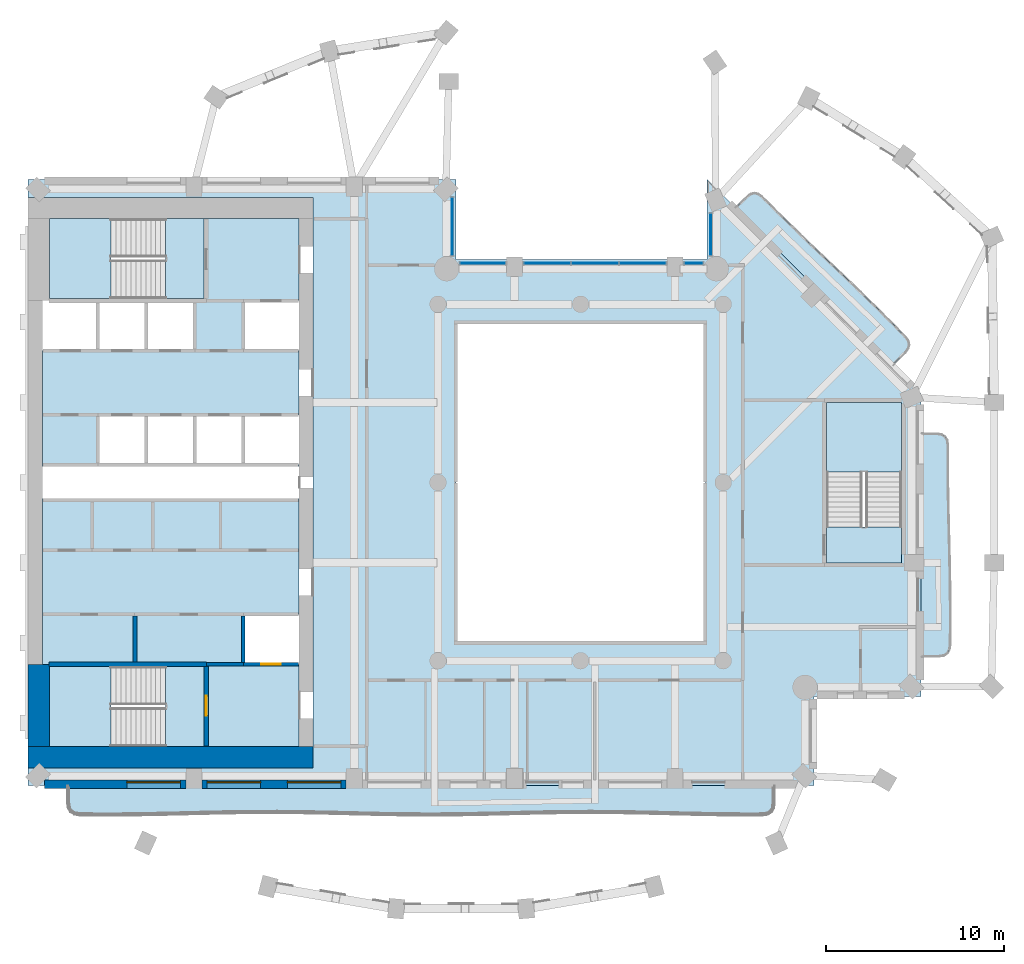
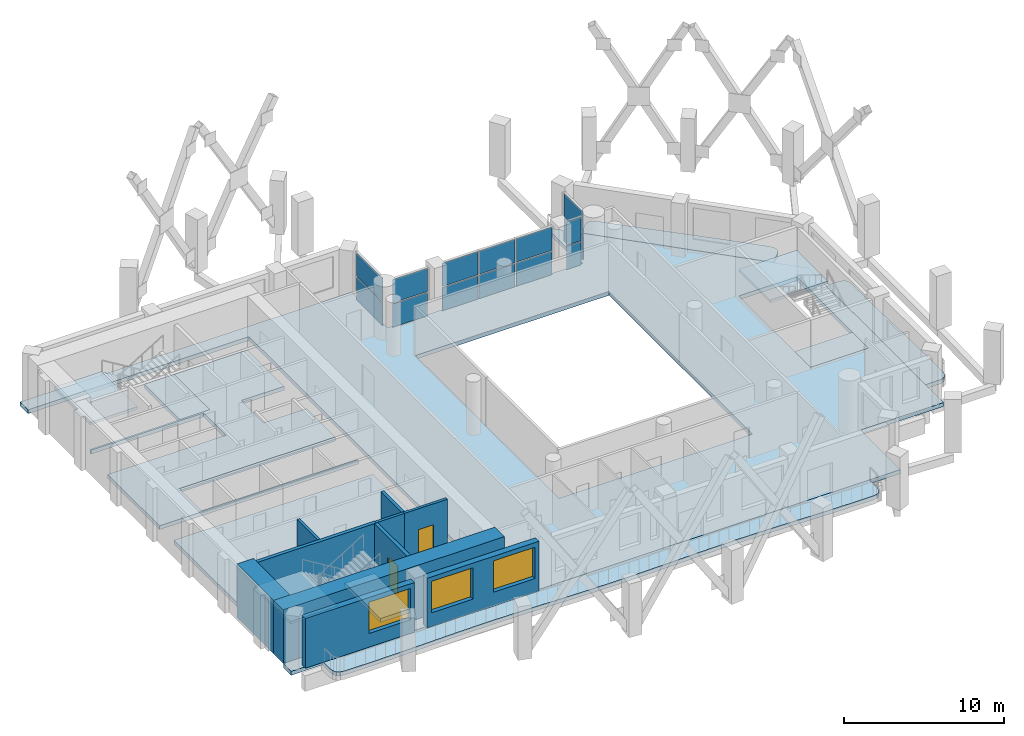
# One storey, part 3 of 15: 14 plates, 12 slabs, 10 walls, 3 windows, 2 doors, 5 openings, 8 elements without a shape of their own.
"""IFC4 building model written with IfcOpenShell, lengths in metres."""

from ifc_helpers import new_model, si_unit, direction, frame, frame_2d, origin, origin_2d, place, context, subcontext, project, spatial, polyline, rectangle, outline, extrude, material, layer, layer_set, type_object, element, fill, aggregate, save


model = new_model("IFC4")

# Units and contexts
model_context = context("Model", 3, precision=1e-05, world=origin(), true_north=direction((0.0, 1.0)))
body_context = subcontext(model_context, "Body", "Model", "MODEL_VIEW")
ifc_project = project(units=[si_unit("LENGTHUNIT", "METRE"), si_unit("AREAUNIT", "SQUARE_METRE"), si_unit("VOLUMEUNIT", "CUBIC_METRE"), si_unit("PLANEANGLEUNIT", "RADIAN"), si_unit("MASSUNIT", "GRAM", prefix="KILO")], contexts=[model_context])

# Site, building, storey
site_placement = place(None, origin())
site = spatial("IfcSite", under=ifc_project, at=site_placement, CompositionType="ELEMENT")
building_placement = place(site_placement, origin())
building = spatial("IfcBuilding", under=site, at=building_placement, Name="Cypress Arch Tower", CompositionType="ELEMENT")
storey_placement = place(building_placement, frame((0.0, 0.0, 193.300048828125)))
storey = spatial("IfcBuildingStorey", under=building, at=storey_placement, Name="L42", CompositionType="ELEMENT", Elevation=193.300048828125)

# Slabs
ifc_material_1 = material(Name="Concrete C40/50", Category="concrete")
ifc_layer_1 = layer(ifc_material_1, 0.300048828125)
ifc_layer_set_1 = layer_set([ifc_layer_1], Name="Balcony slab BS300")
slab_type_1 = type_object("IfcSlabType", Name="Balcony slab BS300", PredefinedType="USERDEFINED", material=ifc_layer_set_1)
slab_1_placement = place(storey_placement, frame((0.0, 0.0, -0.300048828125)))
element("IfcSlab", 1, at=slab_1_placement, inside=storey, type_object=slab_type_1, Name="Balcony slab L42-B01", ObjectType="BALCONY SLAB", PredefinedType="USERDEFINED", context=body_context, shape_type="SweptSolid", body=[
    extrude(outline(polyline([(-27.75, -17.0), (-27.75, -17.96337890625), (-27.708740234375, -18.252685546875), (-27.5849609375, -18.46044921875), (-27.378662109375, -18.5869140625), (-27.090087890625, -18.6318359375), (-26.283447265625, -18.641845703125), (-24.816650390625, -18.642578125), (-23.35009765625, -18.625244140625), (-21.88330078125, -18.59423828125), (-20.416748046875, -18.5576171875), (-18.949951171875, -18.52490234375), (-17.4833984375, -18.504150390625), (-16.0166015625, -18.5009765625), (-14.550048828125, -18.51611328125), (-13.083251953125, -18.545654296875), (-11.61669921875, -18.58203125), (-10.14990234375, -18.61572265625), (-8.683349609375, -18.638427734375), (-7.216552734375, -18.644287109375), (-5.75, -18.631591796875), (-4.283447265625, -18.603759765625), (-2.816650390625, -18.567626953125), (-1.35009765625, -18.532958984375), (0.11669921875, -18.50830078125), (1.583251953125, -18.5), (3.050048828125, -18.51025390625), (4.5166015625, -18.53662109375), (5.9833984375, -18.57177734375), (7.449951171875, -18.607421875), (8.916748046875, -18.6337890625), (10.38330078125, -18.64453125), (11.18994140625, -18.640380859375), (11.478759765625, -18.597412109375), (11.68505859375, -18.47265625), (11.808837890625, -18.265625), (11.85009765625, -17.976806640625), (11.85009765625, -17.0), (-27.75, -17.0)])), origin(), (0.0, 0.0, 1.0), 0.300048828125),
])
slab_2_placement = place(storey_placement, frame((0.0, 0.0, -0.300048828125)))
element("IfcSlab", 2, at=slab_2_placement, inside=storey, type_object=slab_type_1, Name="Balcony slab L42-B04", ObjectType="BALCONY SLAB", PredefinedType="USERDEFINED", context=body_context, shape_type="SweptSolid", body=[
    extrude(outline(polyline([(20.10009765625, -9.75), (21.098388671875, -9.75), (21.372314453125, -9.7109375), (21.569091796875, -9.59375), (21.68896484375, -9.3984375), (21.7314453125, -9.125), (21.741455078125, -8.361083984375), (21.743408203125, -6.97216796875), (21.72900390625, -5.583251953125), (21.70166015625, -4.1943359375), (21.66748046875, -2.8056640625), (21.63427734375, -1.416748046875), (21.610107421875, -0.02783203125), (21.60009765625, 1.361083984375), (21.603759765625, 2.125), (21.56591796875, 2.3984375), (21.44970703125, 2.59375), (21.255126953125, 2.7109375), (20.981689453125, 2.75), (20.10009765625, 2.75), (20.10009765625, -9.75)])), origin(), (0.0, 0.0, 1.0), 0.300048828125),
])
slab_3_placement = place(storey_placement, frame((0.0, 0.0, -0.300048828125)))
element("IfcSlab", 3, at=slab_3_placement, inside=storey, type_object=slab_type_1, Name="Balcony slab L42-B05", ObjectType="BALCONY SLAB", PredefinedType="USERDEFINED", context=body_context, shape_type="SweptSolid", body=[
    extrude(outline(polyline([(18.509033203125, 6.591064453125), (19.216064453125, 7.298095703125), (19.3818359375, 7.518798828125), (19.43798828125, 7.740478515625), (19.384521484375, 7.962646484375), (19.2216796875, 8.185546875), (18.68994140625, 8.7314453125), (17.71142578125, 9.712646484375), (16.7216796875, 10.682373046875), (15.72265625, 11.642822265625), (14.71875, 12.5986328125), (13.715576171875, 13.554931640625), (12.718505859375, 14.517333984375), (11.7314453125, 15.489990234375), (11.195068359375, 16.03125), (10.9755859375, 16.197509765625), (10.755615234375, 16.253173828125), (10.53564453125, 16.198486328125), (10.3154296875, 16.033447265625), (9.69091796875, 15.408935546875), (18.509033203125, 6.591064453125)])), origin(), (0.0, 0.0, 1.0), 0.300048828125),
])
ifc_material_2 = material(Name="Concrete C40/50", Category="concrete")
ifc_layer_2 = layer(ifc_material_2, 0.300048828125)
ifc_layer_set_2 = layer_set([ifc_layer_2], Name="Core floor CF300")
slab_type_2 = type_object("IfcSlabType", Name="Core floor CF300", PredefinedType="FLOOR", material=ifc_layer_set_2)
slab_4_placement = place(storey_placement, frame((0.0, 0.0, -0.300048828125)))
element("IfcSlab", 4, at=slab_4_placement, inside=storey, type_object=slab_type_2, Name="Core floor", PredefinedType="FLOOR", context=body_context, shape_type="SweptSolid", body=[
    extrude(outline(polyline([(-28.800048828125, -10.199951171875), (-29.199951171875, -10.199951171875), (-29.199951171875, -0.89990234375), (-15.199951171875, -0.89990234375), (-14.800048828125, -0.89990234375), (-14.800048828125, -7.39990234375), (-15.199951171875, -7.39990234375), (-17.919921875, -7.39990234375), (-17.919921875, -10.199951171875), (-15.199951171875, -10.199951171875), (-14.800048828125, -10.199951171875), (-14.800048828125, -14.800048828125), (-15.199951171875, -14.800048828125), (-20.125, -14.800048828125), (-20.125, -10.324951171875), (-22.27490234375, -10.324951171875), (-28.800048828125, -10.324951171875), (-28.800048828125, -10.199951171875)])), origin(), (0.0, 0.0, 1.0), 0.300048828125),
])
slab_5_placement = place(storey_placement, frame((0.0, 0.0, -0.300048828125)))
element("IfcSlab", 5, at=slab_5_placement, inside=storey, type_object=slab_type_2, Name="Core floor", PredefinedType="FLOOR", context=body_context, shape_type="SweptSolid", body=[
    extrude(outline(polyline([(-22.27490234375, -10.324951171875), (-22.27490234375, -14.800048828125), (-20.125, -14.800048828125), (-20.125, -10.324951171875), (-22.27490234375, -10.324951171875)])), origin(), (0.0, 0.0, 1.0), 0.300048828125),
])
slab_6_placement = place(storey_placement, frame((0.0, 0.0, -0.300048828125)))
element("IfcSlab", 6, at=slab_6_placement, inside=storey, type_object=slab_type_2, Name="Core floor", PredefinedType="FLOOR", context=body_context, shape_type="SweptSolid", body=[
    extrude(outline(polyline([(-20.125, 14.800048828125), (-22.27490234375, 14.800048828125), (-22.27490234375, 10.324951171875), (-20.125, 10.324951171875), (-20.125, 14.800048828125)])), origin(), (0.0, 0.0, 1.0), 0.300048828125),
])
slab_7_placement = place(storey_placement, frame((0.0, 0.0, -0.300048828125)))
element("IfcSlab", 7, at=slab_7_placement, inside=storey, type_object=slab_type_2, Name="Stair floor landing", PredefinedType="FLOOR", context=body_context, shape_type="SweptSolid", body=[
    extrude(outline(polyline([(19.0, -4.5), (19.0, -2.5), (14.800048828125, -2.5), (14.800048828125, -4.5), (19.0, -4.5)])), origin(), (0.0, 0.0, 1.0), 0.300048828125),
])
slab_8_placement = place(storey_placement, frame((0.0, 0.0, -0.300048828125)))
element("IfcSlab", 8, at=slab_8_placement, inside=storey, type_object=slab_type_2, Name="Core floor", PredefinedType="FLOOR", context=body_context, shape_type="SweptSolid", body=[
    extrude(outline(polyline([(-20.639892578125, 7.39990234375), (-20.639892578125, 10.199951171875), (-23.360107421875, 10.199951171875), (-26.080078125, 10.199951171875), (-28.800048828125, 10.199951171875), (-28.800048828125, 10.324951171875), (-22.27490234375, 10.324951171875), (-20.125, 10.324951171875), (-20.125, 14.800048828125), (-15.199951171875, 14.800048828125), (-14.800048828125, 14.800048828125), (-14.800048828125, 10.199951171875), (-15.199951171875, 10.199951171875), (-17.919921875, 10.199951171875), (-17.919921875, 7.39990234375), (-15.199951171875, 7.39990234375), (-14.800048828125, 7.39990234375), (-14.800048828125, 3.800048828125), (-15.199951171875, 3.800048828125), (-17.919921875, 3.800048828125), (-20.639892578125, 3.800048828125), (-23.360107421875, 3.800048828125), (-26.080078125, 3.800048828125), (-26.080078125, 1.5), (-26.080078125, 1.5), (-26.080078125, 1.0), (-25.679931640625, 1.0), (-23.360107421875, 1.0), (-20.639892578125, 1.0), (-17.919921875, 1.0), (-15.199951171875, 1.0), (-14.800048828125, 1.0), (-14.800048828125, 0.89990234375), (-15.199951171875, 0.89990234375), (-25.679931640625, 0.89990234375), (-26.47998046875, 0.89990234375), (-29.199951171875, 0.89990234375), (-29.199951171875, 1.5), (-29.199951171875, 7.39990234375), (-26.080078125, 7.39990234375), (-23.360107421875, 7.39990234375), (-20.639892578125, 7.39990234375)])), origin(), (0.0, 0.0, 1.0), 0.300048828125),
])

# Curtain wall, plates
ifc_material_3 = material(Name="Anodised aluminium, bronze finish, clear laminated double glazing", Category="aluminium")
curtain_wall_type = type_object("IfcCurtainWallType", Name="Curtain wall CW7 slot glazing", PredefinedType="NOTDEFINED", material=ifc_material_3)
curtain_wall_1_placement = place(storey_placement, origin())
curtain_wall_1 = element("IfcCurtainWall", 9, at=curtain_wall_1_placement, inside=storey, type_object=curtain_wall_type, Name="Curtain wall L42 slot B06.0", PredefinedType="NOTDEFINED")
ifc_material_4 = material(Name="Clear laminated double glazing", Category="glass")
ifc_layer_3 = layer(ifc_material_4, 0.0439453125)
ifc_layer_set_3 = layer_set([ifc_layer_3], Name="Glass panel CW7 44")
plate_type = type_object("IfcPlateType", Name="Glass panel CW7 44", PredefinedType="CURTAIN_PANEL", material=ifc_layer_set_3)
plate_1_placement = place(storey_placement, frame((8.300048828125, 13.912353515625, 0.0849609375), z_axis=(0.0, 0.0, 1.0), x_axis=(0.0, -1.0, 0.0)))
plate_1 = element("IfcPlate", 10, at=plate_1_placement, type_object=plate_type, Name="CW7 panel 1.1", PredefinedType="CURTAIN_PANEL", context=body_context, shape_type="SweptSolid", body=[
    extrude(rectangle(XDim=2.345458984375, YDim=0.0439453125, at=origin_2d()), origin(), (0.0, 0.0, 1.0), 1.7724609375),
])
plate_2_placement = place(storey_placement, frame((8.300048828125, 13.912353515625, 1.9423828125), z_axis=(0.0, 0.0, 1.0), x_axis=(0.0, -1.0, 0.0)))
plate_2 = element("IfcPlate", 11, at=plate_2_placement, type_object=plate_type, Name="CW7 panel 1.2", PredefinedType="CURTAIN_PANEL", context=body_context, shape_type="SweptSolid", body=[
    extrude(rectangle(XDim=2.345458984375, YDim=0.0439453125, at=origin_2d()), origin(), (0.0, 0.0, 1.0), 1.7724609375),
])
aggregate(curtain_wall_1, [plate_1, plate_2])

curtain_wall_2_placement = place(storey_placement, origin())
curtain_wall_2 = element("IfcCurtainWall", 12, at=curtain_wall_2_placement, inside=storey, type_object=curtain_wall_type, Name="Curtain wall L42 slot B07.0", PredefinedType="NOTDEFINED")
plate_3_placement = place(storey_placement, frame((7.34765625, 12.300048828125, 0.0849609375), z_axis=(0.0, 0.0, 1.0), x_axis=(-1.0, 0.0, 0.0)))
plate_3 = element("IfcPlate", 13, at=plate_3_placement, type_object=plate_type, Name="CW7 panel 1.1", PredefinedType="CURTAIN_PANEL", context=body_context, shape_type="SweptSolid", body=[
    extrude(rectangle(XDim=1.025390625, YDim=0.0439453125, at=origin_2d()), origin(), (0.0, 0.0, 1.0), 1.7724609375),
])
plate_4_placement = place(storey_placement, frame((7.34765625, 12.300048828125, 1.9423828125), z_axis=(0.0, 0.0, 1.0), x_axis=(-1.0, 0.0, 0.0)))
plate_4 = element("IfcPlate", 14, at=plate_4_placement, type_object=plate_type, Name="CW7 panel 1.2", PredefinedType="CURTAIN_PANEL", context=body_context, shape_type="SweptSolid", body=[
    extrude(rectangle(XDim=1.025390625, YDim=0.0439453125, at=origin_2d()), origin(), (0.0, 0.0, 1.0), 1.7724609375),
])
aggregate(curtain_wall_2, [plate_3, plate_4])

curtain_wall_3_placement = place(storey_placement, origin())
curtain_wall_3 = element("IfcCurtainWall", 15, at=curtain_wall_3_placement, inside=storey, type_object=curtain_wall_type, Name="Curtain wall L42 slot B07.1", PredefinedType="NOTDEFINED")
plate_5_placement = place(storey_placement, frame((4.478759765625, 12.300048828125, 0.0849609375), z_axis=(0.0, 0.0, 1.0), x_axis=(-1.0, 0.0, 0.0)))
plate_5 = element("IfcPlate", 16, at=plate_5_placement, type_object=plate_type, Name="CW7 panel 1.1", PredefinedType="CURTAIN_PANEL", context=body_context, shape_type="SweptSolid", body=[
    extrude(rectangle(XDim=2.572509765625, YDim=0.0439453125, at=origin_2d()), origin(), (0.0, 0.0, 1.0), 1.7724609375),
])
plate_6_placement = place(storey_placement, frame((4.478759765625, 12.300048828125, 1.9423828125), z_axis=(0.0, 0.0, 1.0), x_axis=(-1.0, 0.0, 0.0)))
plate_6 = element("IfcPlate", 17, at=plate_6_placement, type_object=plate_type, Name="CW7 panel 1.2", PredefinedType="CURTAIN_PANEL", context=body_context, shape_type="SweptSolid", body=[
    extrude(rectangle(XDim=2.572509765625, YDim=0.0439453125, at=origin_2d()), origin(), (0.0, 0.0, 1.0), 1.7724609375),
])
plate_7_placement = place(storey_placement, frame((1.800048828125, 12.300048828125, 0.0849609375), z_axis=(0.0, 0.0, 1.0), x_axis=(-1.0, 0.0, 0.0)))
plate_7 = element("IfcPlate", 18, at=plate_7_placement, type_object=plate_type, Name="CW7 panel 2.1", PredefinedType="CURTAIN_PANEL", context=body_context, shape_type="SweptSolid", body=[
    extrude(rectangle(XDim=2.614990234375, YDim=0.0439453125, at=origin_2d()), origin(), (0.0, 0.0, 1.0), 1.7724609375),
])
plate_8_placement = place(storey_placement, frame((1.800048828125, 12.300048828125, 1.9423828125), z_axis=(0.0, 0.0, 1.0), x_axis=(-1.0, 0.0, 0.0)))
plate_8 = element("IfcPlate", 19, at=plate_8_placement, type_object=plate_type, Name="CW7 panel 2.2", PredefinedType="CURTAIN_PANEL", context=body_context, shape_type="SweptSolid", body=[
    extrude(rectangle(XDim=2.614990234375, YDim=0.0439453125, at=origin_2d()), origin(), (0.0, 0.0, 1.0), 1.7724609375),
])
plate_9_placement = place(storey_placement, frame((-0.878662109375, 12.300048828125, 0.0849609375), z_axis=(0.0, 0.0, 1.0), x_axis=(-1.0, 0.0, 0.0)))
plate_9 = element("IfcPlate", 20, at=plate_9_placement, type_object=plate_type, Name="CW7 panel 3.1", PredefinedType="CURTAIN_PANEL", context=body_context, shape_type="SweptSolid", body=[
    extrude(rectangle(XDim=2.572509765625, YDim=0.0439453125, at=origin_2d()), origin(), (0.0, 0.0, 1.0), 1.7724609375),
])
plate_10_placement = place(storey_placement, frame((-0.878662109375, 12.300048828125, 1.9423828125), z_axis=(0.0, 0.0, 1.0), x_axis=(-1.0, 0.0, 0.0)))
plate_10 = element("IfcPlate", 21, at=plate_10_placement, type_object=plate_type, Name="CW7 panel 3.2", PredefinedType="CURTAIN_PANEL", context=body_context, shape_type="SweptSolid", body=[
    extrude(rectangle(XDim=2.572509765625, YDim=0.0439453125, at=origin_2d()), origin(), (0.0, 0.0, 1.0), 1.7724609375),
])
aggregate(curtain_wall_3, [plate_5, plate_6, plate_7, plate_8, plate_9, plate_10])

curtain_wall_4_placement = place(storey_placement, origin())
curtain_wall_4 = element("IfcCurtainWall", 22, at=curtain_wall_4_placement, inside=storey, type_object=curtain_wall_type, Name="Curtain wall L42 slot B07.2", PredefinedType="NOTDEFINED")
plate_11_placement = place(storey_placement, frame((-4.497802734375, 12.300048828125, 0.0849609375), z_axis=(0.0, 0.0, 1.0), x_axis=(-1.0, 0.0, 0.0)))
plate_11 = element("IfcPlate", 23, at=plate_11_placement, type_object=plate_type, Name="CW7 panel 1.1", PredefinedType="CURTAIN_PANEL", context=body_context, shape_type="SweptSolid", body=[
    extrude(rectangle(XDim=2.525390625, YDim=0.0439453125, at=origin_2d()), origin(), (0.0, 0.0, 1.0), 1.7724609375),
])
plate_12_placement = place(storey_placement, frame((-4.497802734375, 12.300048828125, 1.9423828125), z_axis=(0.0, 0.0, 1.0), x_axis=(-1.0, 0.0, 0.0)))
plate_12 = element("IfcPlate", 24, at=plate_12_placement, type_object=plate_type, Name="CW7 panel 1.2", PredefinedType="CURTAIN_PANEL", context=body_context, shape_type="SweptSolid", body=[
    extrude(rectangle(XDim=2.525390625, YDim=0.0439453125, at=origin_2d()), origin(), (0.0, 0.0, 1.0), 1.7724609375),
])
aggregate(curtain_wall_4, [plate_11, plate_12])

curtain_wall_5_placement = place(storey_placement, origin())
curtain_wall_5 = element("IfcCurtainWall", 25, at=curtain_wall_5_placement, inside=storey, type_object=curtain_wall_type, Name="Curtain wall L42 slot B08.0", PredefinedType="NOTDEFINED")
plate_13_placement = place(storey_placement, frame((-6.199951171875, 14.359130859375, 0.0849609375), z_axis=(0.0, 0.0, 1.0), x_axis=(0.0, 1.0, 0.0)))
plate_13 = element("IfcPlate", 26, at=plate_13_placement, type_object=plate_type, Name="CW7 panel 1.1", PredefinedType="CURTAIN_PANEL", context=body_context, shape_type="SweptSolid", body=[
    extrude(rectangle(XDim=3.239013671875, YDim=0.0439453125, at=origin_2d()), origin(), (0.0, 0.0, 1.0), 1.7724609375),
])
plate_14_placement = place(storey_placement, frame((-6.199951171875, 14.359130859375, 1.9423828125), z_axis=(0.0, 0.0, 1.0), x_axis=(0.0, 1.0, 0.0)))
plate_14 = element("IfcPlate", 27, at=plate_14_placement, type_object=plate_type, Name="CW7 panel 1.2", PredefinedType="CURTAIN_PANEL", context=body_context, shape_type="SweptSolid", body=[
    extrude(rectangle(XDim=3.239013671875, YDim=0.0439453125, at=origin_2d()), origin(), (0.0, 0.0, 1.0), 1.7724609375),
])
aggregate(curtain_wall_5, [plate_13, plate_14])

# Slab
ifc_material_5 = material(Name="Concrete C40/50", Category="concrete")
ifc_layer_4 = layer(ifc_material_5, 0.300048828125)
ifc_layer_set_4 = layer_set([ifc_layer_4], Name="PT flat slab 300 Concrete C40/50")
slab_type_3 = type_object("IfcSlabType", Name="PT flat slab 300 Concrete C40/50", PredefinedType="FLOOR", material=ifc_layer_set_4)
slab_9_placement = place(storey_placement, frame((0.0, 0.0, -0.300048828125)))
element("IfcSlab", 28, at=slab_9_placement, inside=storey, type_object=slab_type_3, Name="Floor slab L42", PredefinedType="FLOOR", context=body_context, shape_type="SweptSolid", body=[
    extrude(outline(polyline([(-30.0, 17.0), (-6.0, 17.0), (-6.0, 12.5), (8.10009765625, 12.5), (8.10009765625, 17.0), (20.10009765625, 5.0), (20.10009765625, -12.0), (14.10009765625, -12.0), (14.10009765625, -17.0), (-30.0, -17.0), (-30.0, -16.0), (-14.0, -16.0), (-14.0, 16.0), (-30.0, 16.0), (-30.0, 17.0)]), holes=[polyline([(-6.0, -9.0), (8.0, -9.0), (8.0, 9.0), (-6.0, 9.0), (-6.0, -9.0)]), polyline([(14.800048828125, -4.5), (19.0, -4.5), (19.0, 4.5), (14.800048828125, 4.5), (14.800048828125, -4.5)])]), origin(), (0.0, 0.0, 1.0), 0.300048828125),
])

# Stair, slab
ifc_material_6 = material(Name="Concrete C40/50", Category="concrete")
stair_type_1 = type_object("IfcStairType", Name="Exit stair ES1708-215", PredefinedType="HALF_TURN_STAIR", material=ifc_material_6)
stair_1_placement = place(storey_placement, origin())
stair_1 = element("IfcStair", 29, at=stair_1_placement, inside=storey, type_object=stair_type_1, Name="L42 Exit stair A", PredefinedType="HALF_TURN_STAIR")
ifc_material_7 = material(Name="Concrete C40/50", Category="concrete")
ifc_layer_5 = layer(ifc_material_7, 0.199951171875)
ifc_layer_set_5 = layer_set([ifc_layer_5], Name="Stair landing SL200")
slab_type_4 = type_object("IfcSlabType", Name="Stair landing SL200", PredefinedType="LANDING", material=ifc_layer_set_5)
slab_10_placement = place(storey_placement, frame((0.0, 0.0, 1.849853515625)))
slab_10 = element("IfcSlab", 30, at=slab_10_placement, type_object=slab_type_4, Name="A landing 1", PredefinedType="LANDING", context=body_context, shape_type="SweptSolid", body=[
    extrude(outline(polyline([(-25.35498046875, -10.324951171875), (-28.800048828125, -10.324951171875), (-28.800048828125, -14.800048828125), (-25.35498046875, -14.800048828125), (-25.35498046875, -10.324951171875)])), origin(), (0.0, 0.0, 1.0), 0.2001953125),
])
aggregate(stair_1, [slab_10])

stair_2_placement = place(storey_placement, origin())
stair_2 = element("IfcStair", 31, at=stair_2_placement, inside=storey, type_object=stair_type_1, Name="L42 Exit stair B", PredefinedType="HALF_TURN_STAIR")
slab_11_placement = place(storey_placement, frame((0.0, 0.0, 1.849853515625)))
slab_11 = element("IfcSlab", 32, at=slab_11_placement, type_object=slab_type_4, Name="B landing 1", PredefinedType="LANDING", context=body_context, shape_type="SweptSolid", body=[
    extrude(outline(polyline([(-25.35498046875, 14.800048828125), (-28.800048828125, 14.800048828125), (-28.800048828125, 10.324951171875), (-25.35498046875, 10.324951171875), (-25.35498046875, 14.800048828125)])), origin(), (0.0, 0.0, 1.0), 0.2001953125),
])
aggregate(stair_2, [slab_11])

ifc_material_8 = material(Name="Concrete C40/50", Category="concrete")
stair_type_2 = type_object("IfcStairType", Name="Exit stair ES1708-200", PredefinedType="HALF_TURN_STAIR", material=ifc_material_8)
stair_3_placement = place(storey_placement, origin())
stair_3 = element("IfcStair", 33, at=stair_3_placement, inside=storey, type_object=stair_type_2, Name="L42 Exit stair C", PredefinedType="HALF_TURN_STAIR")
slab_12_placement = place(storey_placement, frame((0.0, 0.0, 1.849853515625)))
slab_12 = element("IfcSlab", 34, at=slab_12_placement, type_object=slab_type_4, Name="C landing 1", PredefinedType="LANDING", context=body_context, shape_type="SweptSolid", body=[
    extrude(outline(polyline([(19.0, 0.580078125), (19.0, 4.5), (14.800048828125, 4.5), (14.800048828125, 0.580078125), (19.0, 0.580078125)])), origin(), (0.0, 0.0, 1.0), 0.2001953125),
])
aggregate(stair_3, [slab_12])

# Wall, opening, window
ifc_material_9 = material(Name="Brick (red buff blend)", Category="masonry")
ifc_layer_6 = layer(ifc_material_9, 0.449951171875)
ifc_layer_set_6 = layer_set([ifc_layer_6], Name="Brick pier and spandrel wall BW450")
wall_type_1 = type_object("IfcWallType", Name="Brick pier and spandrel wall BW450", PredefinedType="SOLIDWALL", material=ifc_layer_set_6)
wall_1_placement = place(storey_placement, frame((-29.063720703125, -16.925048828125, 0.0), z_axis=(0.0, 0.0, 1.0), x_axis=(1.0, 0.0, 0.0)))
wall_1 = element("IfcWall", 35, at=wall_1_placement, inside=storey, type_object=wall_type_1, Name="Brick wall L42 B01.0", PredefinedType="SOLIDWALL", context=body_context, shape_type="SweptSolid", body=[
    extrude(rectangle(XDim=7.913818359375, YDim=0.449951171875, at=frame_2d((3.95703125, 0.0))), origin(), (0.0, 0.0, 1.0), 3.800048828125),
])
opening_1_placement = place(wall_1_placement, frame((4.613525390625, 0.0, 1.050048828125)))
opening_1 = element("IfcOpeningElement", 36, at=opening_1_placement, cuts=wall_1, Name="Opening W300OD", PredefinedType="OPENING", context=body_context, shape_type="SweptSolid", body=[
    extrude(rectangle(XDim=3.0, YDim=2.39990234375, at=frame_2d((1.5, 1.199951171875))), frame((0.0, 0.23486328125, 0.0), z_axis=(0.0, -1.0, 0.0), x_axis=(1.0, 0.0, 0.0)), (0.0, 0.0, 1.0), 0.469970703125),
])
ifc_material_10 = material(Name="Anodised aluminium, bronze finish, laminated low-emissivity double glazing, large-missile impact rated", Category="aluminium")
window_type = type_object("IfcWindowType", Name="Window Office 3000x2400 debris-rated", PartitioningType="SINGLE_PANEL", PredefinedType="WINDOW", material=ifc_material_10)
window_1_placement = place(opening_1_placement, origin())
window_1 = element("IfcWindow", 37, at=window_1_placement, inside=storey, type_object=window_type, Name="Window L42 B01.0.2", OverallHeight=2.39990234375, OverallWidth=3.0, PartitioningType="SINGLE_PANEL", PredefinedType="WINDOW", context=body_context, shape_type="SweptSolid", body=[
    extrude(rectangle(XDim=3.0, YDim=2.39990234375, at=frame_2d((1.5, 1.199951171875))), frame((0.0, 0.135009765625, 0.0), z_axis=(0.0, -1.0, 0.0), x_axis=(1.0, 0.0, 0.0)), (0.0, 0.0, 1.0), 0.06005859375),
])
fill(opening_1, window_1)

# Wall, openings, windows
wall_2_placement = place(storey_placement, frame((-20.25, -16.925048828125, 0.0), z_axis=(0.0, 0.0, 1.0), x_axis=(1.0, 0.0, 0.0)))
wall_2 = element("IfcWall", 38, at=wall_2_placement, inside=storey, type_object=wall_type_1, Name="Brick wall L42 B01.1", PredefinedType="SOLIDWALL", context=body_context, shape_type="SweptSolid", body=[
    extrude(rectangle(XDim=8.10009765625, YDim=0.449951171875, at=frame_2d((4.050048828125, 0.0))), origin(), (0.0, 0.0, 1.0), 3.800048828125),
])
opening_2_placement = place(wall_2_placement, frame((0.300048828125, 0.0, 1.050048828125)))
opening_2 = element("IfcOpeningElement", 39, at=opening_2_placement, cuts=wall_2, Name="Opening W300OD", PredefinedType="OPENING", context=body_context, shape_type="SweptSolid", body=[
    extrude(rectangle(XDim=3.0, YDim=2.39990234375, at=frame_2d((1.5, 1.199951171875))), frame((0.0, 0.23486328125, 0.0), z_axis=(0.0, -1.0, 0.0), x_axis=(1.0, 0.0, 0.0)), (0.0, 0.0, 1.0), 0.469970703125),
])
opening_3_placement = place(wall_2_placement, frame((4.800048828125, 0.0, 1.050048828125)))
opening_3 = element("IfcOpeningElement", 40, at=opening_3_placement, cuts=wall_2, Name="Opening W300OD", PredefinedType="OPENING", context=body_context, shape_type="SweptSolid", body=[
    extrude(rectangle(XDim=3.0, YDim=2.39990234375, at=frame_2d((1.5, 1.199951171875))), frame((0.0, 0.23486328125, 0.0), z_axis=(0.0, -1.0, 0.0), x_axis=(1.0, 0.0, 0.0)), (0.0, 0.0, 1.0), 0.469970703125),
])
window_2_placement = place(opening_2_placement, origin())
window_2 = element("IfcWindow", 41, at=window_2_placement, inside=storey, type_object=window_type, Name="Window L42 B01.1.1", OverallHeight=2.39990234375, OverallWidth=3.0, PartitioningType="SINGLE_PANEL", PredefinedType="WINDOW", context=body_context, shape_type="SweptSolid", body=[
    extrude(rectangle(XDim=3.0, YDim=2.39990234375, at=frame_2d((1.5, 1.199951171875))), frame((0.0, 0.135009765625, 0.0), z_axis=(0.0, -1.0, 0.0), x_axis=(1.0, 0.0, 0.0)), (0.0, 0.0, 1.0), 0.06005859375),
])
fill(opening_2, window_2)
window_3_placement = place(opening_3_placement, origin())
window_3 = element("IfcWindow", 42, at=window_3_placement, inside=storey, type_object=window_type, Name="Window L42 B01.1.2", OverallHeight=2.39990234375, OverallWidth=3.0, PartitioningType="SINGLE_PANEL", PredefinedType="WINDOW", context=body_context, shape_type="SweptSolid", body=[
    extrude(rectangle(XDim=3.0, YDim=2.39990234375, at=frame_2d((1.5, 1.199951171875))), frame((0.0, 0.135009765625, 0.0), z_axis=(0.0, -1.0, 0.0), x_axis=(1.0, 0.0, 0.0)), (0.0, 0.0, 1.0), 0.06005859375),
])
fill(opening_3, window_3)

# Walls
ifc_material_11 = material(Name="Concrete C70/85", Category="concrete")
ifc_layer_7 = layer(ifc_material_11, 1.199951171875)
ifc_layer_set_7 = layer_set([ifc_layer_7], Name="Core wall CW1200 C70/85")
wall_type_2 = type_object("IfcWallType", Name="Core wall CW1200 C70/85", PredefinedType="SHEAR", material=ifc_layer_set_7)
wall_3_placement = place(storey_placement, frame((-30.0, -15.39990234375, 0.0), z_axis=(0.0, 0.0, 1.0), x_axis=(1.0, 0.0, 0.0)))
element("IfcWall", 43, at=wall_3_placement, inside=storey, type_object=wall_type_2, Name="Core wall", PredefinedType="SHEAR", context=body_context, shape_type="SweptSolid", body=[
    extrude(rectangle(XDim=16.0, YDim=1.199951171875, at=frame_2d((8.0, 0.0))), origin(), (0.0, 0.0, 1.0), 4.099853515625),
])
wall_4_placement = place(storey_placement, frame((-29.39990234375, -14.800048828125, 0.0), z_axis=(0.0, 0.0, 1.0), x_axis=(0.0, 1.0, 0.0)))
element("IfcWall", 44, at=wall_4_placement, inside=storey, type_object=wall_type_2, Name="Core wall", PredefinedType="SHEAR", context=body_context, shape_type="SweptSolid", body=[
    extrude(rectangle(XDim=4.60009765625, YDim=1.199951171875, at=frame_2d((2.300048828125, 0.0))), origin(), (0.0, 0.0, 1.0), 4.099853515625),
])
ifc_material_12 = material(Name="Reinforced blockwork, plastered, rated", Category="masonry")
ifc_layer_8 = layer(ifc_material_12, 0.199951171875)
ifc_layer_set_8 = layer_set([ifc_layer_8], Name="Plant and riser wall PL200")
wall_type_3 = type_object("IfcWallType", Name="Plant and riser wall PL200", PredefinedType="PARTITIONING", material=ifc_layer_set_8)
wall_5_placement = place(storey_placement, frame((-24.0, -10.074951171875, 0.0), z_axis=(0.0, 0.0, 1.0), x_axis=(0.0, 1.0, 0.0)))
element("IfcWall", 45, at=wall_5_placement, inside=storey, type_object=wall_type_3, Name="Plant and riser wall", PredefinedType="PARTITIONING", context=body_context, shape_type="SweptSolid", body=[
    extrude(rectangle(XDim=2.574951171875, YDim=0.199951171875, at=frame_2d((1.28759765625, 0.0))), origin(), (0.0, 0.0, 1.0), 3.800048828125),
])
wall_6_placement = place(storey_placement, frame((-20.0, -10.199951171875, 0.0), z_axis=(0.0, 0.0, 1.0), x_axis=(1.0, 0.0, 0.0)))
element("IfcWall", 46, at=wall_6_placement, inside=storey, type_object=wall_type_3, Name="Plant and riser wall", PredefinedType="PARTITIONING", context=body_context, shape_type="SweptSolid", body=[
    extrude(rectangle(XDim=2.080078125, YDim=0.199951171875, at=frame_2d((1.0400390625, 0.0))), origin(), (0.0, 0.0, 1.0), 3.800048828125),
])
ifc_material_13 = material(Name="Concrete C50/60", Category="concrete")
ifc_layer_9 = layer(ifc_material_13, 0.199951171875)
ifc_layer_set_9 = layer_set([ifc_layer_9], Name="Shaft wall SH200")
wall_type_4 = type_object("IfcWallType", Name="Shaft wall SH200", PredefinedType="SHEAR", material=ifc_layer_set_9)
wall_7_placement = place(storey_placement, frame((-17.919921875, -10.10009765625, 0.0), z_axis=(0.0, 0.0, 1.0), x_axis=(0.0, 1.0, 0.0)))
element("IfcWall", 47, at=wall_7_placement, inside=storey, type_object=wall_type_4, Name="Shaft wall", PredefinedType="SHEAR", context=body_context, shape_type="SweptSolid", body=[
    extrude(rectangle(XDim=2.60009765625, YDim=0.199951171875, at=frame_2d((1.300048828125, 0.0))), origin(), (0.0, 0.0, 1.0), 3.800048828125),
])

# Wall, opening, door
wall_8_placement = place(storey_placement, frame((-17.919921875, -10.199951171875, 0.0), z_axis=(0.0, 0.0, 1.0), x_axis=(1.0, 0.0, 0.0)))
wall_8 = element("IfcWall", 48, at=wall_8_placement, inside=storey, type_object=wall_type_4, Name="Shaft wall", PredefinedType="SHEAR", context=body_context, shape_type="SweptSolid", body=[
    extrude(rectangle(XDim=3.08984375, YDim=0.199951171875, at=frame_2d((1.544921875, 0.0))), origin(), (0.0, 0.0, 1.0), 3.800048828125),
])
opening_4_placement = place(wall_8_placement, frame((1.0, 0.0, 0.0)))
opening_4 = element("IfcOpeningElement", 49, at=opening_4_placement, cuts=wall_8, Name="Opening LD-FL1", PredefinedType="OPENING", context=body_context, shape_type="SweptSolid", body=[
    extrude(rectangle(XDim=1.10009765625, YDim=2.199951171875, at=frame_2d((0.550048828125, 1.10009765625))), frame((0.0, 0.10986328125, 0.0), z_axis=(0.0, -1.0, 0.0), x_axis=(1.0, 0.0, 0.0)), (0.0, 0.0, 1.0), 0.219970703125),
])
ifc_material_14 = material(Name="Stainless steel centre-opening landing door, rated", Category="steel")
door_type_1 = type_object("IfcDoorType", Name="Lift landing door LD 1100x2200", OperationType="DOUBLE_DOOR_SLIDING", PredefinedType="DOOR", material=ifc_material_14)
door_1_placement = place(opening_4_placement, origin())
door_1 = element("IfcDoor", 50, at=door_1_placement, inside=storey, type_object=door_type_1, Name="Lift landing doors FL1", OperationType="DOUBLE_DOOR_SLIDING", OverallHeight=2.199951171875, OverallWidth=1.10009765625, PredefinedType="DOOR", context=body_context, shape_type="SweptSolid", body=[
    extrude(rectangle(XDim=1.10009765625, YDim=2.199951171875, at=frame_2d((0.550048828125, 1.10009765625))), frame((0.0, 0.02490234375, 0.0), z_axis=(0.0, -1.0, 0.0), x_axis=(1.0, 0.0, 0.0)), (0.0, 0.0, 1.0), 0.050048828125),
])
fill(opening_4, door_1)

# Wall
ifc_material_15 = material(Name="Concrete C50/60", Category="concrete")
ifc_layer_10 = layer(ifc_material_15, 0.25)
ifc_layer_set_10 = layer_set([ifc_layer_10], Name="Stair enclosure wall SW250")
wall_type_5 = type_object("IfcWallType", Name="Stair enclosure wall SW250", PredefinedType="SHEAR", material=ifc_layer_set_10)
wall_9_placement = place(storey_placement, frame((-28.81005859375, -10.199951171875, 0.0), z_axis=(0.0, 0.0, 1.0), x_axis=(1.0, 0.0, 0.0)))
element("IfcWall", 51, at=wall_9_placement, inside=storey, type_object=wall_type_5, Name="Stair enclosure wall", PredefinedType="SHEAR", context=body_context, shape_type="SweptSolid", body=[
    extrude(rectangle(XDim=8.81005859375, YDim=0.25, at=frame_2d((4.405029296875, 0.0))), origin(), (0.0, 0.0, 1.0), 3.800048828125),
])

# Wall, opening, door
wall_10_placement = place(storey_placement, frame((-20.0, -14.77001953125, 0.0), z_axis=(0.0, 0.0, 1.0), x_axis=(0.0, 1.0, 0.0)))
wall_10 = element("IfcWall", 52, at=wall_10_placement, inside=storey, type_object=wall_type_5, Name="Stair enclosure wall", PredefinedType="SHEAR", context=body_context, shape_type="SweptSolid", body=[
    extrude(rectangle(XDim=4.445068359375, YDim=0.25, at=frame_2d((2.22265625, 0.0))), origin(), (0.0, 0.0, 1.0), 3.800048828125),
])
opening_5_placement = place(wall_10_placement, frame((1.699951171875, 0.0, 0.0)))
opening_5 = element("IfcOpeningElement", 53, at=opening_5_placement, cuts=wall_10, Name="Opening D06", PredefinedType="OPENING", context=body_context, shape_type="SweptSolid", body=[
    extrude(rectangle(XDim=1.10009765625, YDim=2.199951171875, at=frame_2d((0.550048828125, 1.10009765625))), frame((0.0, 0.135009765625, 0.0), z_axis=(0.0, -1.0, 0.0), x_axis=(1.0, 0.0, 0.0)), (0.0, 0.0, 1.0), 0.27001953125),
])
ifc_material_16 = material(Name="Steel door, fire resisting, panic bar", Category="steel")
door_type_2 = type_object("IfcDoorType", Name="Stair door D06 1100x2200", OperationType="SINGLE_SWING_LEFT", PredefinedType="DOOR", material=ifc_material_16)
door_2_placement = place(opening_5_placement, origin())
door_2 = element("IfcDoor", 54, at=door_2_placement, inside=storey, type_object=door_type_2, Name="Stair door", OperationType="SINGLE_SWING_RIGHT", OverallHeight=2.199951171875, OverallWidth=1.10009765625, PredefinedType="DOOR", context=body_context, shape_type="SweptSolid", body=[
    extrude(rectangle(XDim=1.10009765625, YDim=2.199951171875, at=frame_2d((0.550048828125, 1.10009765625))), frame((0.0, 0.02490234375, 0.0), z_axis=(0.0, -1.0, 0.0), x_axis=(1.0, 0.0, 0.0)), (0.0, 0.0, 1.0), 0.050048828125),
])
fill(opening_5, door_2)

save(model, "model.ifc")
